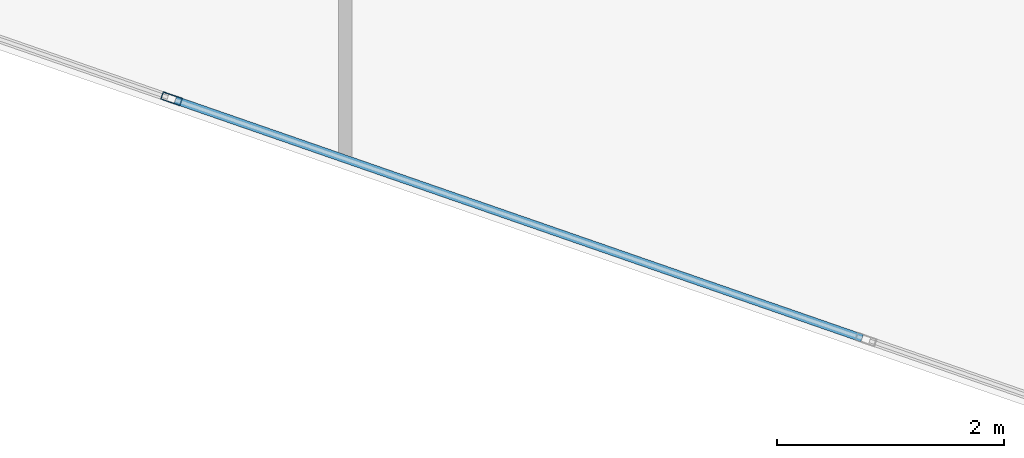
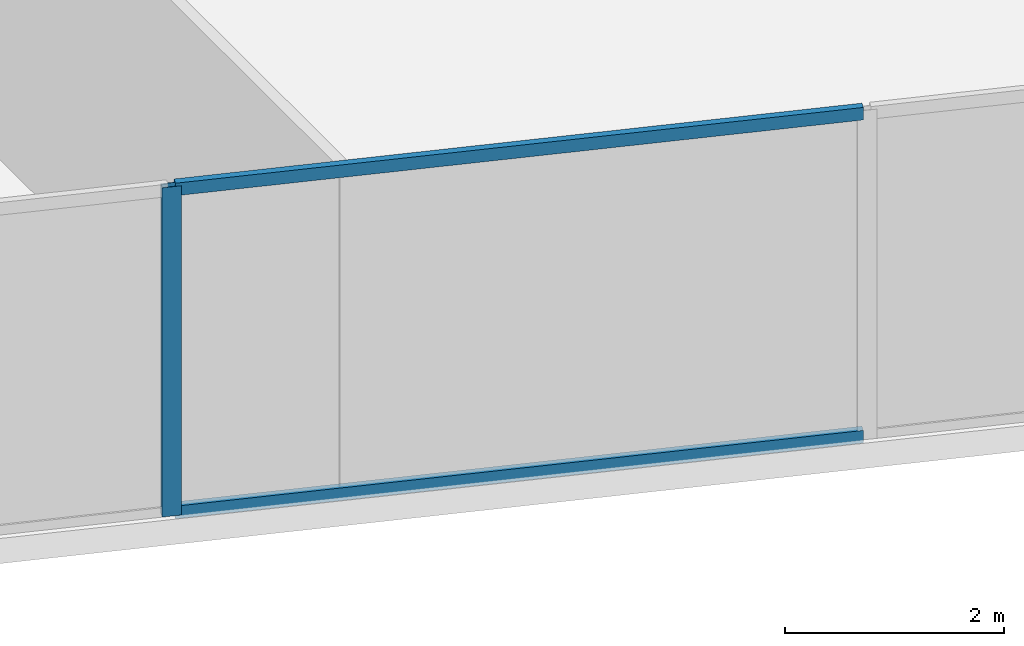
# One storey, part 4 of 27: 3 members, 1 element without a shape of its own.
"""IFC4 building model written with IfcOpenShell, lengths in metres."""

from ifc_helpers import new_model, si_unit, direction, frame, origin, origin_2d, place, context, subcontext, project, spatial, hollow_rectangle, extrude, source, transform, mapped, material, material_profile, profile_set, type_object, type_shapes, element, aggregate, save


model = new_model("IFC4")

# Units and contexts
model_context = context("Model", 3, precision=1e-05, world=origin(), true_north=direction((0.0, 1.0)))
body_context = subcontext(model_context, "Body", "Model", "MODEL_VIEW")
ifc_project = project(units=[si_unit("LENGTHUNIT", "METRE"), si_unit("AREAUNIT", "SQUARE_METRE"), si_unit("VOLUMEUNIT", "CUBIC_METRE"), si_unit("PLANEANGLEUNIT", "RADIAN"), si_unit("MASSUNIT", "GRAM", prefix="KILO")], contexts=[model_context])

# Site, building, storey
site_placement = place(None, origin())
site = spatial("IfcSite", under=ifc_project, at=site_placement, CompositionType="ELEMENT")
building_placement = place(site_placement, origin())
building = spatial("IfcBuilding", under=site, at=building_placement, Name="Krantzveldt Concourse Tower", CompositionType="ELEMENT")
storey_placement = place(building_placement, frame((0.0, 0.0, 125.60009765625)))
storey = spatial("IfcBuildingStorey", under=building, at=storey_placement, Name="L30", CompositionType="ELEMENT", Elevation=125.60009765625)

# Curtain wall, members
ifc_material = material(Name="Anodised aluminium 6063-T6", Category="aluminium")
curtain_wall_type = type_object("IfcCurtainWallType", Name="CW2", PredefinedType="USERDEFINED", material=ifc_material)
curtain_wall_placement = place(storey_placement, origin())
curtain_wall = element("IfcCurtainWall", 1, at=curtain_wall_placement, inside=storey, type_object=curtain_wall_type, Name="CW-L30-F04", ObjectType="UNITISED CURTAIN WALL", PredefinedType="USERDEFINED")
ifc_material_profile_1 = material_profile(ifc_material, hollow_rectangle(XDim=0.070068359375, YDim=0.179931640625, WallThickness=0.0048828125, at=origin_2d()), Name="Anodised aluminium 6063-T6", Category="aluminium")
ifc_profile_set_1 = profile_set([ifc_material_profile_1], Name="Anodised aluminium 6063-T6 - ALU-MULL 180x70x5")
member_type_1 = type_object("IfcMemberType", Name="CW-MUL-180", PredefinedType="MULLION", material=ifc_profile_set_1)
shared_shape_1 = source(origin(), body_context, "Body", "SweptSolid", [
    extrude(hollow_rectangle(XDim=0.070068359375, YDim=0.179931640625, WallThickness=0.0048828125, at=origin_2d()), origin(), (0.0, 0.0, 1.0), 3.669921875),
])
type_shapes(member_type_1, [shared_shape_1])
member_1_placement = place(storey_placement, frame((34.47265625, 2.557861328125, 0.0), z_axis=(0.0, 0.0, 1.0), x_axis=(0.32763019404, 0.944806041446, 0.0)))
member_1 = element("IfcMember", 2, at=member_1_placement, type_object=member_type_1, Name="CW-Z12 mullion 5", PredefinedType="MULLION", context=body_context, shape_type="MappedRepresentation", body=[
    mapped(shared_shape_1, transform((0.0, 0.0, 0.0), x_axis=(1.0, 0.0, 0.0), y_axis=(0.0, 1.0, 0.0), z_axis=(0.0, 0.0, 1.0), scale=1.0)),
])
ifc_material_profile_2 = material_profile(ifc_material, hollow_rectangle(XDim=0.070068359375, YDim=0.139892578125, WallThickness=0.0048828125, at=origin_2d()), Name="Anodised aluminium 6063-T6", Category="aluminium")
ifc_profile_set_2 = profile_set([ifc_material_profile_2], Name="Anodised aluminium 6063-T6 - ALU-TRAN 140x70x5")
member_type_2 = type_object("IfcMemberType", Name="CW-TRN-150", PredefinedType="USERDEFINED", material=ifc_profile_set_2)
shared_shape_2 = source(origin(), body_context, "Body", "SweptSolid", [
    extrude(hollow_rectangle(XDim=0.070068359375, YDim=0.139892578125, WallThickness=0.0048828125, at=origin_2d()), origin(), (0.0, 0.0, 1.0), 6.396484375),
])
type_shapes(member_type_2, [shared_shape_2])
member_2_placement = place(storey_placement, frame((34.505859375, 2.54638671875, 0.034912109375), z_axis=(0.944805325706, -0.327632258054, 0.0), x_axis=(0.327632258054, 0.944805325706, 0.0)))
member_2 = element("IfcMember", 3, at=member_2_placement, type_object=member_type_2, Name="CW-Z12 transom 5.1", ObjectType="TRANSOM", PredefinedType="USERDEFINED", context=body_context, shape_type="MappedRepresentation", body=[
    mapped(shared_shape_2, transform((0.0, 0.0, 0.0), x_axis=(1.0, 0.0, 0.0), y_axis=(0.0, 1.0, 0.0), z_axis=(0.0, 0.0, 1.0), scale=1.0)),
])
member_3_placement = place(storey_placement, frame((34.505859375, 2.54638671875, 3.635009765625), z_axis=(0.944805325706, -0.327632258054, 0.0), x_axis=(0.327632258054, 0.944805325706, 0.0)))
member_3 = element("IfcMember", 4, at=member_3_placement, type_object=member_type_2, Name="CW-Z12 transom 5.2", ObjectType="TRANSOM", PredefinedType="USERDEFINED", context=body_context, shape_type="MappedRepresentation", body=[
    mapped(shared_shape_2, transform((0.0, 0.0, 0.0), x_axis=(1.0, 0.0, 0.0), y_axis=(0.0, 1.0, 0.0), z_axis=(0.0, 0.0, 1.0), scale=1.0)),
])
aggregate(curtain_wall, [member_1, member_2, member_3])

save(model, "model.ifc")
